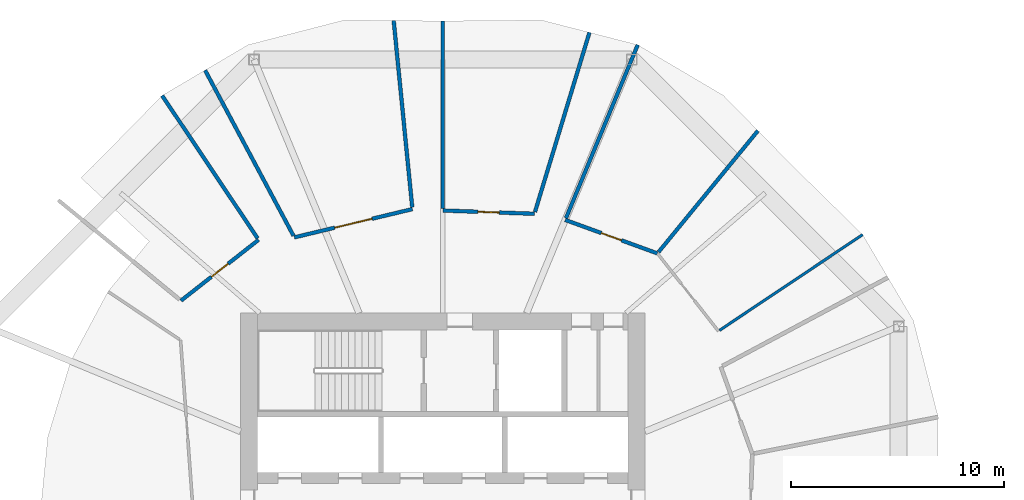
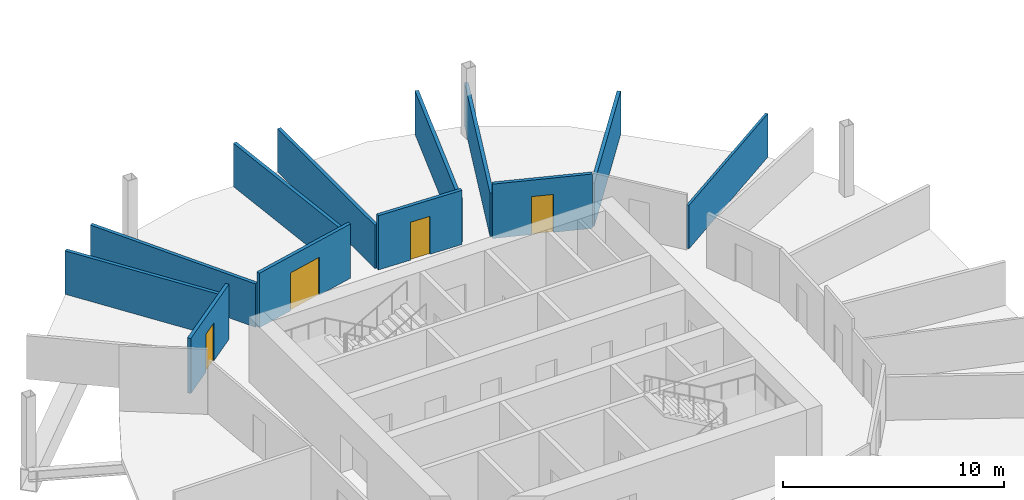
# One storey, part 6 of 10: 12 walls, 4 doors, 4 openings.
"""IFC4 building model written with IfcOpenShell, lengths in metres."""

from ifc_helpers import new_model, si_unit, direction, frame, frame_2d, origin, place, context, subcontext, project, spatial, rectangle, extrude, material, layer, layer_set, type_object, element, fill, save


model = new_model("IFC4")

# Units and contexts
model_context = context("Model", 3, precision=1e-05, world=origin(), true_north=direction((0.0, 1.0)))
body_context = subcontext(model_context, "Body", "Model", "MODEL_VIEW")
ifc_project = project(units=[si_unit("LENGTHUNIT", "METRE"), si_unit("AREAUNIT", "SQUARE_METRE"), si_unit("VOLUMEUNIT", "CUBIC_METRE"), si_unit("PLANEANGLEUNIT", "RADIAN"), si_unit("MASSUNIT", "GRAM", prefix="KILO")], contexts=[model_context])

# Site, building, storey
site_placement = place(None, origin())
site = spatial("IfcSite", under=ifc_project, at=site_placement, CompositionType="ELEMENT")
building_placement = place(site_placement, origin())
building = spatial("IfcBuilding", under=site, at=building_placement, Name="Ogive Gate Towers", CompositionType="ELEMENT")
storey_placement = place(building_placement, frame((0.0, 0.0, 103.5)))
storey = spatial("IfcBuildingStorey", under=building, at=storey_placement, Name="L24", CompositionType="ELEMENT", Elevation=103.5)

# Walls
ifc_material_1 = material(Name="Gypsum board acoustic partition")
ifc_layer_1 = layer(ifc_material_1, 0.175048828125)
ifc_layer_set_1 = layer_set([ifc_layer_1], Name="Acoustic partition 175")
wall_type_1 = type_object("IfcWallType", Name="Acoustic partition 175", PredefinedType="PARTITIONING", material=ifc_layer_set_1)
wall_1_placement = place(storey_placement, frame((-21.205322265625, 18.06005859375, 0.0), z_axis=(0.0, 0.0, 1.0), x_axis=(-0.633696392022, -0.773581852643, 0.0)))
element("IfcWall", 1, at=wall_1_placement, inside=storey, type_object=wall_type_1, Name="Partition T1-L24-004", PredefinedType="PARTITIONING", context=body_context, shape_type="SweptSolid", body=[
    extrude(rectangle(XDim=7.361572265625, YDim=0.175048828125, at=frame_2d((3.6806640625, 0.0))), origin(), (0.0, 0.0, 1.0), 2.39990234375),
])
wall_2_placement = place(storey_placement, frame((-26.85009765625, 22.090087890625, 0.0), z_axis=(0.0, 0.0, 1.0), x_axis=(-0.382684585559, -0.923879054842, 0.0)))
element("IfcWall", 2, at=wall_2_placement, inside=storey, type_object=wall_type_1, Name="Partition T1-L24-005", PredefinedType="PARTITIONING", context=body_context, shape_type="SweptSolid", body=[
    extrude(rectangle(XDim=8.8115234375, YDim=0.175048828125, at=frame_2d((4.40576171875, 0.0))), origin(), (0.0, 0.0, 1.0), 2.39990234375),
])
wall_3_placement = place(storey_placement, frame((-29.1162109375, 22.67236328125, 0.0), z_axis=(0.0, 0.0, 1.0), x_axis=(-0.290503348147, -0.956873975357, 0.0)))
element("IfcWall", 3, at=wall_3_placement, inside=storey, type_object=wall_type_1, Name="Partition T1-L24-006", PredefinedType="PARTITIONING", context=body_context, shape_type="SweptSolid", body=[
    extrude(rectangle(XDim=8.811767578125, YDim=0.175048828125, at=frame_2d((4.40576171875, 0.0))), origin(), (0.0, 0.0, 1.0), 2.39990234375),
])
for number, where, z_axis, x_axis, name in (
    (4, (-36.0, 23.208984375, 0.0), (0.0, 0.0, 1.0), (0.0, -1.0, 0.0), "Partition T1-L24-007"),
    (5, (-38.308837890625, 23.231689453125, 0.0), (0.0, 0.0, 1.0), (0.098886463601, -0.995098722397, 0.0), "Partition T1-L24-008"),
    (6, (-47.1640625, 20.8994140625, 0.0), (0.0, 0.0, 1.0), (0.471156177576, -0.882049803771, 0.0), "Partition T1-L24-009"),
):
    element("IfcWall", number, at=place(storey_placement, frame(where, z_axis=z_axis, x_axis=x_axis)), inside=storey, type_object=wall_type_1, Name=name, PredefinedType="PARTITIONING", context=body_context, shape_type="SweptSolid", body=[
        extrude(rectangle(XDim=8.8115234375, YDim=0.175048828125, at=frame_2d((4.40576171875, 0.0))), origin(), (0.0, 0.0, 1.0), 2.39990234375),
    ])
wall_4_placement = place(storey_placement, frame((-49.1787109375, 19.709716796875, 0.0), z_axis=(0.0, 0.0, 1.0), x_axis=(0.555845830277, -0.831285398021, 0.0)))
element("IfcWall", 7, at=wall_4_placement, inside=storey, type_object=wall_type_1, Name="Partition T1-L24-010", PredefinedType="PARTITIONING", context=body_context, shape_type="SweptSolid", body=[
    extrude(rectangle(XDim=8.0615234375, YDim=0.175048828125, at=frame_2d((4.03076171875, 0.0))), origin(), (0.0, 0.0, 1.0), 2.39990234375),
])

# Wall, opening, door
wall_5_placement = place(storey_placement, frame((-30.255615234375, 13.868408203125, 0.0), z_axis=(0.0, 0.0, 1.0), x_axis=(0.940050059835, -0.341036486325, 0.0)))
wall_5 = element("IfcWall", 8, at=wall_5_placement, inside=storey, type_object=wall_type_1, Name="Partition T1-L24-025", PredefinedType="PARTITIONING", context=body_context, shape_type="SweptSolid", body=[
    extrude(rectangle(XDim=4.60595703125, YDim=0.175048828125, at=frame_2d((2.302978515625, 0.0))), origin(), (0.0, 0.0, 1.0), 3.010009765625),
])
opening_1_placement = place(wall_5_placement, frame((1.802978515625, 0.0, 0.0)))
opening_1 = element("IfcOpeningElement", 9, at=opening_1_placement, cuts=wall_5, Name="Opening T1-L24-D01", PredefinedType="OPENING", context=body_context, shape_type="SweptSolid", body=[
    extrude(rectangle(XDim=1.0, YDim=2.10009765625, at=frame_2d((0.5, 1.050048828125))), frame((0.0, 0.09765625, 0.0), z_axis=(0.0, -1.0, 0.0), x_axis=(1.0, 0.0, 0.0)), (0.0, 0.0, 1.0), 0.195068359375),
])
ifc_material_2 = material(Name="Timber door", Category="wood")
door_type_1 = type_object("IfcDoorType", Name="Door 1000", OperationType="NOTDEFINED", PredefinedType="DOOR", material=ifc_material_2)
door_1_placement = place(opening_1_placement, origin())
door_1 = element("IfcDoor", 10, at=door_1_placement, inside=storey, type_object=door_type_1, Name="Door T1-L24-D01", OperationType="SINGLE_SWING_LEFT", OverallHeight=2.10009765625, OverallWidth=1.0, PredefinedType="DOOR", context=body_context, shape_type="SweptSolid", body=[
    extrude(rectangle(XDim=1.0, YDim=2.10009765625, at=frame_2d((0.5, 1.050048828125))), frame((0.0, 0.02490234375, 0.0), z_axis=(0.0, -1.0, 0.0), x_axis=(1.0, 0.0, 0.0)), (0.0, 0.0, 1.0), 0.050048828125),
])
fill(opening_1, door_1)

wall_6_placement = place(storey_placement, frame((-48.294189453125, 10.0771484375, 0.0), z_axis=(0.0, 0.0, 1.0), x_axis=(0.786925177745, 0.617048429729, 0.0)))
wall_6 = element("IfcWall", 11, at=wall_6_placement, inside=storey, type_object=wall_type_1, Name="Partition T1-L24-040", PredefinedType="PARTITIONING", context=body_context, shape_type="SweptSolid", body=[
    extrude(rectangle(XDim=4.632080078125, YDim=0.175048828125, at=frame_2d((2.31591796875, 0.0))), origin(), (0.0, 0.0, 1.0), 3.050048828125),
])
opening_2_placement = place(wall_6_placement, frame((1.81591796875, 0.0, 0.0)))
opening_2 = element("IfcOpeningElement", 12, at=opening_2_placement, cuts=wall_6, Name="Opening T1-L24-D16", PredefinedType="OPENING", context=body_context, shape_type="SweptSolid", body=[
    extrude(rectangle(XDim=1.0, YDim=2.10009765625, at=frame_2d((0.5, 1.050048828125))), frame((0.0, 0.09765625, 0.0), z_axis=(0.0, -1.0, 0.0), x_axis=(1.0, 0.0, 0.0)), (0.0, 0.0, 1.0), 0.195068359375),
])
door_2_placement = place(opening_2_placement, origin())
door_2 = element("IfcDoor", 13, at=door_2_placement, inside=storey, type_object=door_type_1, Name="Door T1-L24-D16", OperationType="SINGLE_SWING_RIGHT", OverallHeight=2.10009765625, OverallWidth=1.0, PredefinedType="DOOR", context=body_context, shape_type="SweptSolid", body=[
    extrude(rectangle(XDim=1.0, YDim=2.10009765625, at=frame_2d((0.5, 1.050048828125))), frame((0.0, 0.02490234375, 0.0), z_axis=(0.0, -1.0, 0.0), x_axis=(1.0, 0.0, 0.0)), (0.0, 0.0, 1.0), 0.050048828125),
])
fill(opening_2, door_2)

wall_7_placement = place(storey_placement, frame((-42.97119140625, 13.050048828125, 0.0), z_axis=(0.0, 0.0, 1.0), x_axis=(0.972537588214, 0.232745868944, 0.0)))
wall_7 = element("IfcWall", 14, at=wall_7_placement, inside=storey, type_object=wall_type_1, Name="Partition T1-L24-041", PredefinedType="PARTITIONING", context=body_context, shape_type="SweptSolid", body=[
    extrude(rectangle(XDim=5.698974609375, YDim=0.175048828125, at=frame_2d((2.849609375, 0.0))), origin(), (0.0, 0.0, 1.0), 3.010009765625),
])
opening_3_placement = place(wall_7_placement, frame((1.948974609375, 0.0, 0.0)))
opening_3 = element("IfcOpeningElement", 15, at=opening_3_placement, cuts=wall_7, Name="Opening T1-L24-D17", PredefinedType="OPENING", context=body_context, shape_type="SweptSolid", body=[
    extrude(rectangle(XDim=1.800048828125, YDim=2.10009765625, at=frame_2d((0.89990234375, 1.050048828125))), frame((0.0, 0.09765625, 0.0), z_axis=(0.0, -1.0, 0.0), x_axis=(1.0, 0.0, 0.0)), (0.0, 0.0, 1.0), 0.195068359375),
])
door_type_2 = type_object("IfcDoorType", Name="Door pair 1800", OperationType="NOTDEFINED", PredefinedType="DOOR", material=ifc_material_2)
door_3_placement = place(opening_3_placement, origin())
door_3 = element("IfcDoor", 16, at=door_3_placement, inside=storey, type_object=door_type_2, Name="Door T1-L24-D17", OperationType="DOUBLE_DOOR_DOUBLE_SWING", OverallHeight=2.10009765625, OverallWidth=1.800048828125, PredefinedType="DOOR", context=body_context, shape_type="SweptSolid", body=[
    extrude(rectangle(XDim=1.800048828125, YDim=2.10009765625, at=frame_2d((0.89990234375, 1.050048828125))), frame((0.0, 0.02490234375, 0.0), z_axis=(0.0, -1.0, 0.0), x_axis=(1.0, 0.0, 0.0)), (0.0, 0.0, 1.0), 0.050048828125),
])
fill(opening_3, door_3)

wall_8_placement = place(storey_placement, frame((-36.0, 14.31005859375, 0.0), z_axis=(0.0, 0.0, 1.0), x_axis=(0.999366464687, -0.035590297249, 0.0)))
wall_8 = element("IfcWall", 17, at=wall_8_placement, inside=storey, type_object=wall_type_1, Name="Partition T1-L24-042", PredefinedType="PARTITIONING", context=body_context, shape_type="SweptSolid", body=[
    extrude(rectangle(XDim=4.301025390625, YDim=0.175048828125, at=frame_2d((2.150390625, 0.0))), origin(), (0.0, 0.0, 1.0), 3.0),
])
opening_4_placement = place(wall_8_placement, frame((1.65087890625, 0.0, 0.0)))
opening_4 = element("IfcOpeningElement", 18, at=opening_4_placement, cuts=wall_8, Name="Opening T1-L24-D18", PredefinedType="OPENING", context=body_context, shape_type="SweptSolid", body=[
    extrude(rectangle(XDim=1.0, YDim=2.10009765625, at=frame_2d((0.5, 1.050048828125))), frame((0.0, 0.09765625, 0.0), z_axis=(0.0, -1.0, 0.0), x_axis=(1.0, 0.0, 0.0)), (0.0, 0.0, 1.0), 0.195068359375),
])
door_4_placement = place(opening_4_placement, origin())
door_4 = element("IfcDoor", 19, at=door_4_placement, inside=storey, type_object=door_type_1, Name="Door T1-L24-D18", OperationType="SINGLE_SWING_RIGHT", OverallHeight=2.10009765625, OverallWidth=1.0, PredefinedType="DOOR", context=body_context, shape_type="SweptSolid", body=[
    extrude(rectangle(XDim=1.0, YDim=2.10009765625, at=frame_2d((0.5, 1.050048828125))), frame((0.0, 0.02490234375, 0.0), z_axis=(0.0, -1.0, 0.0), x_axis=(1.0, 0.0, 0.0)), (0.0, 0.0, 1.0), 0.050048828125),
])
fill(opening_4, door_4)

# Wall
ifc_material_3 = material(Name="Gypsum board partition")
ifc_layer_2 = layer(ifc_material_3, 0.125)
ifc_layer_set_2 = layer_set([ifc_layer_2], Name="Partition 125")
wall_type_2 = type_object("IfcWallType", Name="Partition 125", PredefinedType="PARTITIONING", material=ifc_layer_set_2)
wall_9_placement = place(storey_placement, frame((-16.290283203125, 13.1787109375, 0.0), z_axis=(0.0, 0.0, 1.0), x_axis=(-0.831292437228, -0.555835302771, 0.0)))
element("IfcWall", 20, at=wall_9_placement, inside=storey, type_object=wall_type_2, Name="Partition T1-L24-003", PredefinedType="PARTITIONING", context=body_context, shape_type="SweptSolid", body=[
    extrude(rectangle(XDim=8.086669921875, YDim=0.125, at=frame_2d((4.04345703125, 0.0))), origin(), (0.0, 0.0, 1.0), 2.39990234375),
])

save(model, "model.ifc")
